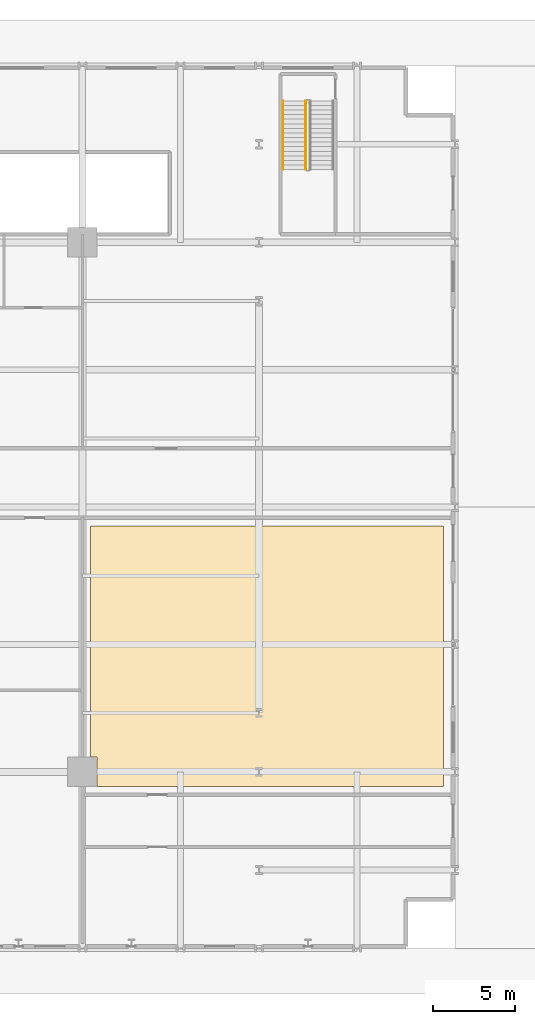
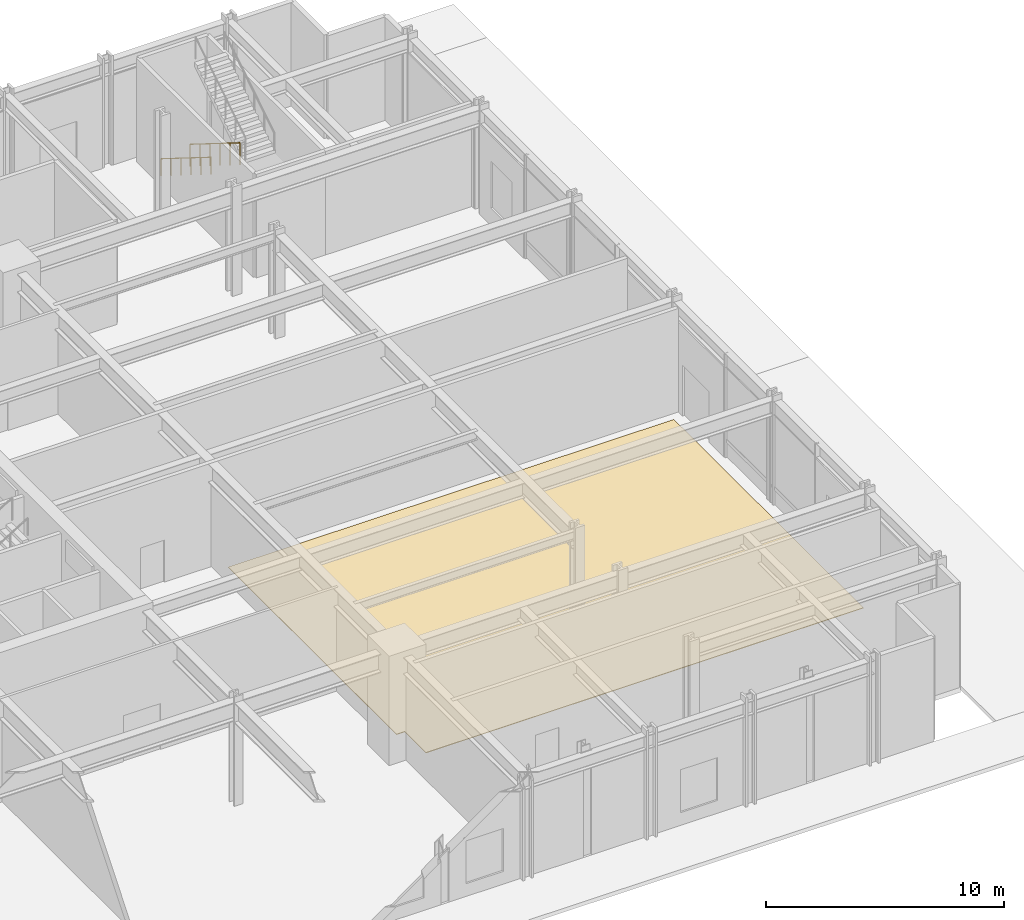
# One storey, part 19 of 21: 2 railings, 1 covering.
"""IFC4 building model written with IfcOpenShell, lengths in metres."""

from ifc_helpers import new_model, si_unit, direction, frame, origin, origin_2d, place, context, subcontext, project, spatial, polyline, circle, outline, extrude, material, layer, layer_set, type_object, element, save


model = new_model("IFC4")

# Units and contexts
model_context = context("Model", 3, precision=1e-05, world=origin(), true_north=direction((0.0, 1.0)))
body_context = subcontext(model_context, "Body", "Model", "MODEL_VIEW")
ifc_project = project(units=[si_unit("LENGTHUNIT", "METRE"), si_unit("AREAUNIT", "SQUARE_METRE"), si_unit("VOLUMEUNIT", "CUBIC_METRE"), si_unit("PLANEANGLEUNIT", "RADIAN"), si_unit("MASSUNIT", "GRAM", prefix="KILO")], contexts=[model_context])

# Site, building, storey
site_placement = place(None, origin())
site = spatial("IfcSite", under=ifc_project, at=site_placement, CompositionType="ELEMENT")
building_placement = place(site_placement, origin())
building = spatial("IfcBuilding", under=site, at=building_placement, Name="Drelvath Grand Hotel", CompositionType="ELEMENT")
storey_placement = place(building_placement, origin())
storey = spatial("IfcBuildingStorey", under=building, at=storey_placement, Name="L00", CompositionType="ELEMENT", Elevation=0.0)

# Railings
ifc_material_1 = material(Name="Painted Steel S275", Category="steel")
railing_type_1 = type_object("IfcRailingType", Name="Core Stair Wall Handrail 900", PredefinedType="HANDRAIL", material=ifc_material_1)
railing_1_placement = place(storey_placement, frame((28.469970703125, 51.85009765625, 0.175048828125)))
element("IfcRailing", 1, at=railing_1_placement, inside=storey, type_object=railing_type_1, Name="L00 ST-4 stair handrail 1", PredefinedType="HANDRAIL", context=body_context, shape_type="SweptSolid", body=[
    extrude(circle(Radius=0.02392578125, at=origin_2d()), frame((0.0, 0.0, 0.8759765625), z_axis=(0.0, -0.848009380541, 0.529981217134), x_axis=(1.0, 0.0, 0.0)), (0.0, 0.0, 1.0), 4.953125),
    extrude(circle(Radius=0.02099609375, at=origin_2d()), origin(), (0.0, 0.0, 1.0), 0.851806640625),
    extrude(circle(Radius=0.02099609375, at=origin_2d()), frame((0.0, -0.840087890625, 0.52490234375)), (0.0, 0.0, 1.0), 0.851806640625),
    extrude(circle(Radius=0.02099609375, at=origin_2d()), frame((0.0, -1.68017578125, 1.050048828125)), (0.0, 0.0, 1.0), 0.851806640625),
    extrude(circle(Radius=0.02099609375, at=origin_2d()), frame((0.0, -2.52001953125, 1.574951171875)), (0.0, 0.0, 1.0), 0.851806640625),
    extrude(circle(Radius=0.02099609375, at=origin_2d()), frame((0.0, -3.360107421875, 2.10009765625)), (0.0, 0.0, 1.0), 0.851806640625),
    extrude(circle(Radius=0.02099609375, at=origin_2d()), frame((0.0, -4.2001953125, 2.625)), (0.0, 0.0, 1.0), 0.851806640625),
])
railing_type_2 = type_object("IfcRailingType", Name="Core Stair Well Guardrail 1100", PredefinedType="GUARDRAIL", material=ifc_material_1)
railing_2_placement = place(storey_placement, frame((29.8701171875, 51.85009765625, 0.175048828125)))
element("IfcRailing", 2, at=railing_2_placement, inside=storey, type_object=railing_type_2, Name="L00 ST-4 stair guard 1", PredefinedType="GUARDRAIL", context=body_context, shape_type="SweptSolid", body=[
    extrude(circle(Radius=0.02392578125, at=origin_2d()), frame((0.0, 0.0, 1.1259765625), z_axis=(0.0, -0.848009380541, 0.529981217134), x_axis=(1.0, 0.0, 0.0)), (0.0, 0.0, 1.0), 4.953125),
    extrude(circle(Radius=0.02099609375, at=origin_2d()), origin(), (0.0, 0.0, 1.0), 1.101806640625),
    extrude(circle(Radius=0.02099609375, at=origin_2d()), frame((0.0, -0.840087890625, 0.52490234375)), (0.0, 0.0, 1.0), 1.101806640625),
    extrude(circle(Radius=0.02099609375, at=origin_2d()), frame((0.0, -1.68017578125, 1.050048828125)), (0.0, 0.0, 1.0), 1.101806640625),
    extrude(circle(Radius=0.02099609375, at=origin_2d()), frame((0.0, -2.52001953125, 1.574951171875)), (0.0, 0.0, 1.0), 1.101806640625),
    extrude(circle(Radius=0.02099609375, at=origin_2d()), frame((0.0, -3.360107421875, 2.10009765625)), (0.0, 0.0, 1.0), 1.101806640625),
    extrude(circle(Radius=0.02099609375, at=origin_2d()), frame((0.0, -4.2001953125, 2.625)), (0.0, 0.0, 1.0), 1.101806640625),
])

# Covering
ifc_material_2 = material(Name="Honed Indiana Limestone", Category="masonry")
ifc_layer = layer(ifc_material_2, 0.030029296875)
ifc_layer_set = layer_set([ifc_layer], Name="Honed Indiana Limestone")
covering_type = type_object("IfcCoveringType", Name="Honed Limestone Lobby Flooring 30", PredefinedType="FLOORING", material=ifc_layer_set)
covering_placement = place(storey_placement, origin())
element("IfcCovering", 3, at=covering_placement, inside=storey, type_object=covering_type, Name="L00 Grand Atrium Stone Floor", PredefinedType="FLOORING", context=body_context, shape_type="SweptSolid", body=[
    extrude(outline(polyline([(38.300048828125, 9.919921875), (38.300048828125, 25.830078125), (16.699951171875, 25.830078125), (16.699951171875, 11.699951171875), (17.10009765625, 11.699951171875), (17.10009765625, 9.919921875), (38.300048828125, 9.919921875)])), origin(), (0.0, 0.0, 1.0), 0.030029296875),
])

save(model, "model.ifc")
